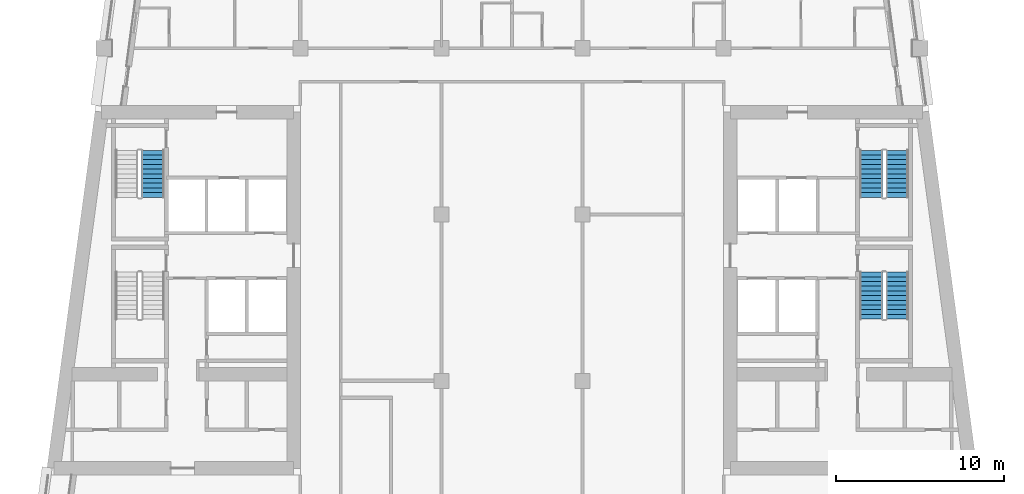
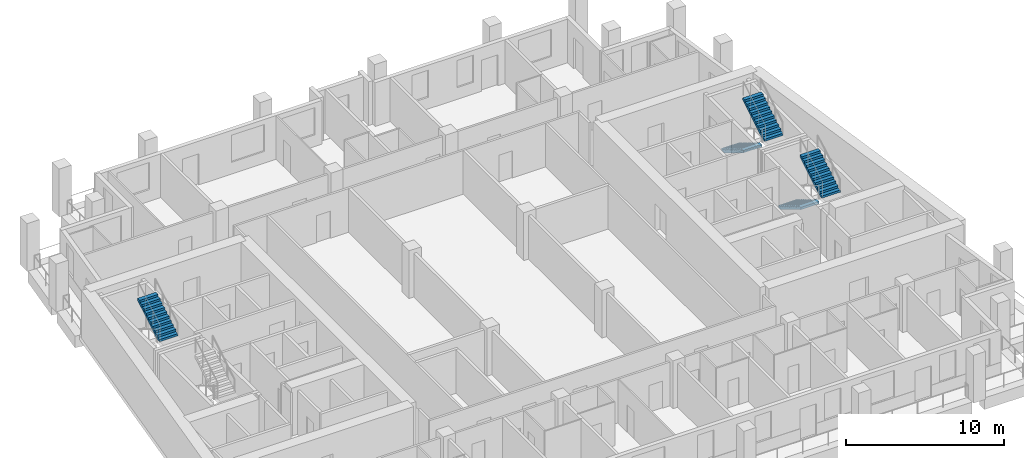
# One storey, part 8 of 13: 5 stair flights, 3 elements without a shape of their own.
"""IFC4 building model written with IfcOpenShell, lengths in metres."""

from ifc_helpers import new_model, si_unit, direction, frame, origin, place, context, subcontext, project, spatial, polyline, outline, extrude, material, type_object, element, aggregate, save


model = new_model("IFC4")

# Units and contexts
model_context = context("Model", 3, precision=1e-05, world=origin(), true_north=direction((0.0, 1.0)))
body_context = subcontext(model_context, "Body", "Model", "MODEL_VIEW")
ifc_project = project(units=[si_unit("LENGTHUNIT", "METRE"), si_unit("AREAUNIT", "SQUARE_METRE"), si_unit("VOLUMEUNIT", "CUBIC_METRE"), si_unit("PLANEANGLEUNIT", "RADIAN"), si_unit("MASSUNIT", "GRAM", prefix="KILO")], contexts=[model_context])

# Site, building, storey
site_placement = place(None, origin())
site = spatial("IfcSite", under=ifc_project, at=site_placement, CompositionType="ELEMENT")
building_placement = place(site_placement, origin())
building = spatial("IfcBuilding", under=site, at=building_placement, Name="Candeia Pilgrim Tower and Theatre", CompositionType="ELEMENT")
storey_placement = place(building_placement, frame((0.0, 0.0, 220.699951171875)))
storey = spatial("IfcBuildingStorey", under=building, at=storey_placement, Name="L53", CompositionType="ELEMENT", Elevation=220.699951171875)

# Stair, stair flight
ifc_material = material(Name="Concrete C40/50", Category="concrete")
stair_type = type_object("IfcStairType", Name="ST-TWR dog-leg escape stair", PredefinedType="HALF_TURN_STAIR", material=ifc_material)
stair_1_placement = place(storey_placement, origin())
stair_1 = element("IfcStair", 1, at=stair_1_placement, inside=storey, type_object=stair_type, Name="L53 Escape stair ST2", PredefinedType="HALF_TURN_STAIR")
stair_flight_type = type_object("IfcStairFlightType", Name="SFL-RC stair flight", PredefinedType="STRAIGHT", material=ifc_material)
stair_flight_1_placement = place(storey_placement, frame((92.027099609375, 126.925048828125, 1.85009765625), z_axis=(0.0, 0.0, 1.0), x_axis=(0.0, 1.0, 0.0)))
stair_flight_1 = element("IfcStairFlight", 2, at=stair_flight_1_placement, type_object=stair_flight_type, Name="ST2 flight 2", NumberOfRisers=11, NumberOfTreads=10, PredefinedType="STRAIGHT", RiserHeight=0.168181818, TreadLength=0.28, context=body_context, shape_type="SweptSolid", body=[
    extrude(outline(polyline([(0.0, 0.0), (0.0, 0.168212890625), (0.280029296875, 0.168212890625), (0.280029296875, 0.33642578125), (0.56005859375, 0.33642578125), (0.56005859375, 0.504638671875), (0.840087890625, 0.504638671875), (0.840087890625, 0.672607421875), (1.1201171875, 0.672607421875), (1.1201171875, 0.8408203125), (1.39990234375, 0.8408203125), (1.39990234375, 1.009033203125), (1.679931640625, 1.009033203125), (1.679931640625, 1.17724609375), (1.9599609375, 1.17724609375), (1.9599609375, 1.345458984375), (2.239990234375, 1.345458984375), (2.239990234375, 1.513671875), (2.52001953125, 1.513671875), (2.52001953125, 1.681884765625), (2.800048828125, 1.681884765625), (2.800048828125, 1.85009765625), (2.800048828125, 1.5068359375), (0.291015625, 0.0), (0.0, 0.0)])), frame((0.0, 0.675048828125, 0.0), z_axis=(0.0, -1.0, 0.0), x_axis=(1.0, 0.0, 0.0)), (0.0, 0.0, 1.0), 1.35009765625),
])
aggregate(stair_1, [stair_flight_1])

# Stair, stair flights
stair_2_placement = place(storey_placement, origin())
stair_2 = element("IfcStair", 3, at=stair_2_placement, inside=storey, type_object=stair_type, Name="L53 Escape stair ST3", PredefinedType="HALF_TURN_STAIR")
stair_flight_2_placement = place(storey_placement, frame((134.77294921875, 122.47509765625, 0.0), z_axis=(0.0, 0.0, 1.0), x_axis=(0.0, -1.0, 0.0)))
stair_flight_2 = element("IfcStairFlight", 4, at=stair_flight_2_placement, type_object=stair_flight_type, Name="ST3 flight 1", NumberOfRisers=11, NumberOfTreads=10, PredefinedType="STRAIGHT", RiserHeight=0.168181818, TreadLength=0.28, context=body_context, shape_type="SweptSolid", body=[
    extrude(outline(polyline([(0.0, 0.0), (0.0, 0.168212890625), (0.280029296875, 0.168212890625), (0.280029296875, 0.33642578125), (0.56005859375, 0.33642578125), (0.56005859375, 0.504638671875), (0.840087890625, 0.504638671875), (0.840087890625, 0.672607421875), (1.1201171875, 0.672607421875), (1.1201171875, 0.8408203125), (1.39990234375, 0.8408203125), (1.39990234375, 1.009033203125), (1.679931640625, 1.009033203125), (1.679931640625, 1.17724609375), (1.9599609375, 1.17724609375), (1.9599609375, 1.345458984375), (2.239990234375, 1.345458984375), (2.239990234375, 1.513671875), (2.52001953125, 1.513671875), (2.52001953125, 1.681884765625), (2.800048828125, 1.681884765625), (2.800048828125, 1.85009765625), (2.800048828125, 1.5068359375), (0.291015625, 0.0), (0.0, 0.0)])), frame((0.0, 0.675048828125, 0.0), z_axis=(0.0, -1.0, 0.0), x_axis=(1.0, 0.0, 0.0)), (0.0, 0.0, 1.0), 1.35009765625),
])
stair_flight_3_placement = place(storey_placement, frame((136.322998046875, 119.675048828125, 1.85009765625), z_axis=(0.0, 0.0, 1.0), x_axis=(0.0, 1.0, 0.0)))
stair_flight_3 = element("IfcStairFlight", 5, at=stair_flight_3_placement, type_object=stair_flight_type, Name="ST3 flight 2", NumberOfRisers=11, NumberOfTreads=10, PredefinedType="STRAIGHT", RiserHeight=0.168181818, TreadLength=0.28, context=body_context, shape_type="SweptSolid", body=[
    extrude(outline(polyline([(0.0, 0.0), (0.0, 0.168212890625), (0.280029296875, 0.168212890625), (0.280029296875, 0.33642578125), (0.56005859375, 0.33642578125), (0.56005859375, 0.504638671875), (0.840087890625, 0.504638671875), (0.840087890625, 0.672607421875), (1.1201171875, 0.672607421875), (1.1201171875, 0.8408203125), (1.39990234375, 0.8408203125), (1.39990234375, 1.009033203125), (1.679931640625, 1.009033203125), (1.679931640625, 1.17724609375), (1.9599609375, 1.17724609375), (1.9599609375, 1.345458984375), (2.239990234375, 1.345458984375), (2.239990234375, 1.513671875), (2.52001953125, 1.513671875), (2.52001953125, 1.681884765625), (2.800048828125, 1.681884765625), (2.800048828125, 1.85009765625), (2.800048828125, 1.5068359375), (0.291015625, 0.0), (0.0, 0.0)])), frame((0.0, 0.675048828125, 0.0), z_axis=(0.0, -1.0, 0.0), x_axis=(1.0, 0.0, 0.0)), (0.0, 0.0, 1.0), 1.35009765625),
])
aggregate(stair_2, [stair_flight_2, stair_flight_3])

stair_3_placement = place(storey_placement, origin())
stair_3 = element("IfcStair", 6, at=stair_3_placement, inside=storey, type_object=stair_type, Name="L53 Escape stair ST4", PredefinedType="HALF_TURN_STAIR")
stair_flight_4_placement = place(storey_placement, frame((134.77294921875, 129.72509765625, 0.0), z_axis=(0.0, 0.0, 1.0), x_axis=(0.0, -1.0, 0.0)))
stair_flight_4 = element("IfcStairFlight", 7, at=stair_flight_4_placement, type_object=stair_flight_type, Name="ST4 flight 1", NumberOfRisers=11, NumberOfTreads=10, PredefinedType="STRAIGHT", RiserHeight=0.168181818, TreadLength=0.28, context=body_context, shape_type="SweptSolid", body=[
    extrude(outline(polyline([(0.0, 0.0), (0.0, 0.168212890625), (0.280029296875, 0.168212890625), (0.280029296875, 0.33642578125), (0.56005859375, 0.33642578125), (0.56005859375, 0.504638671875), (0.840087890625, 0.504638671875), (0.840087890625, 0.672607421875), (1.1201171875, 0.672607421875), (1.1201171875, 0.8408203125), (1.39990234375, 0.8408203125), (1.39990234375, 1.009033203125), (1.679931640625, 1.009033203125), (1.679931640625, 1.17724609375), (1.9599609375, 1.17724609375), (1.9599609375, 1.345458984375), (2.239990234375, 1.345458984375), (2.239990234375, 1.513671875), (2.52001953125, 1.513671875), (2.52001953125, 1.681884765625), (2.800048828125, 1.681884765625), (2.800048828125, 1.85009765625), (2.800048828125, 1.5068359375), (0.291015625, 0.0), (0.0, 0.0)])), frame((0.0, 0.675048828125, 0.0), z_axis=(0.0, -1.0, 0.0), x_axis=(1.0, 0.0, 0.0)), (0.0, 0.0, 1.0), 1.35009765625),
])
stair_flight_5_placement = place(storey_placement, frame((136.322998046875, 126.925048828125, 1.85009765625), z_axis=(0.0, 0.0, 1.0), x_axis=(0.0, 1.0, 0.0)))
stair_flight_5 = element("IfcStairFlight", 8, at=stair_flight_5_placement, type_object=stair_flight_type, Name="ST4 flight 2", NumberOfRisers=11, NumberOfTreads=10, PredefinedType="STRAIGHT", RiserHeight=0.168181818, TreadLength=0.28, context=body_context, shape_type="SweptSolid", body=[
    extrude(outline(polyline([(0.0, 0.0), (0.0, 0.168212890625), (0.280029296875, 0.168212890625), (0.280029296875, 0.33642578125), (0.56005859375, 0.33642578125), (0.56005859375, 0.504638671875), (0.840087890625, 0.504638671875), (0.840087890625, 0.672607421875), (1.1201171875, 0.672607421875), (1.1201171875, 0.8408203125), (1.39990234375, 0.8408203125), (1.39990234375, 1.009033203125), (1.679931640625, 1.009033203125), (1.679931640625, 1.17724609375), (1.9599609375, 1.17724609375), (1.9599609375, 1.345458984375), (2.239990234375, 1.345458984375), (2.239990234375, 1.513671875), (2.52001953125, 1.513671875), (2.52001953125, 1.681884765625), (2.800048828125, 1.681884765625), (2.800048828125, 1.85009765625), (2.800048828125, 1.5068359375), (0.291015625, 0.0), (0.0, 0.0)])), frame((0.0, 0.675048828125, 0.0), z_axis=(0.0, -1.0, 0.0), x_axis=(1.0, 0.0, 0.0)), (0.0, 0.0, 1.0), 1.35009765625),
])
aggregate(stair_3, [stair_flight_4, stair_flight_5])

save(model, "model.ifc")
